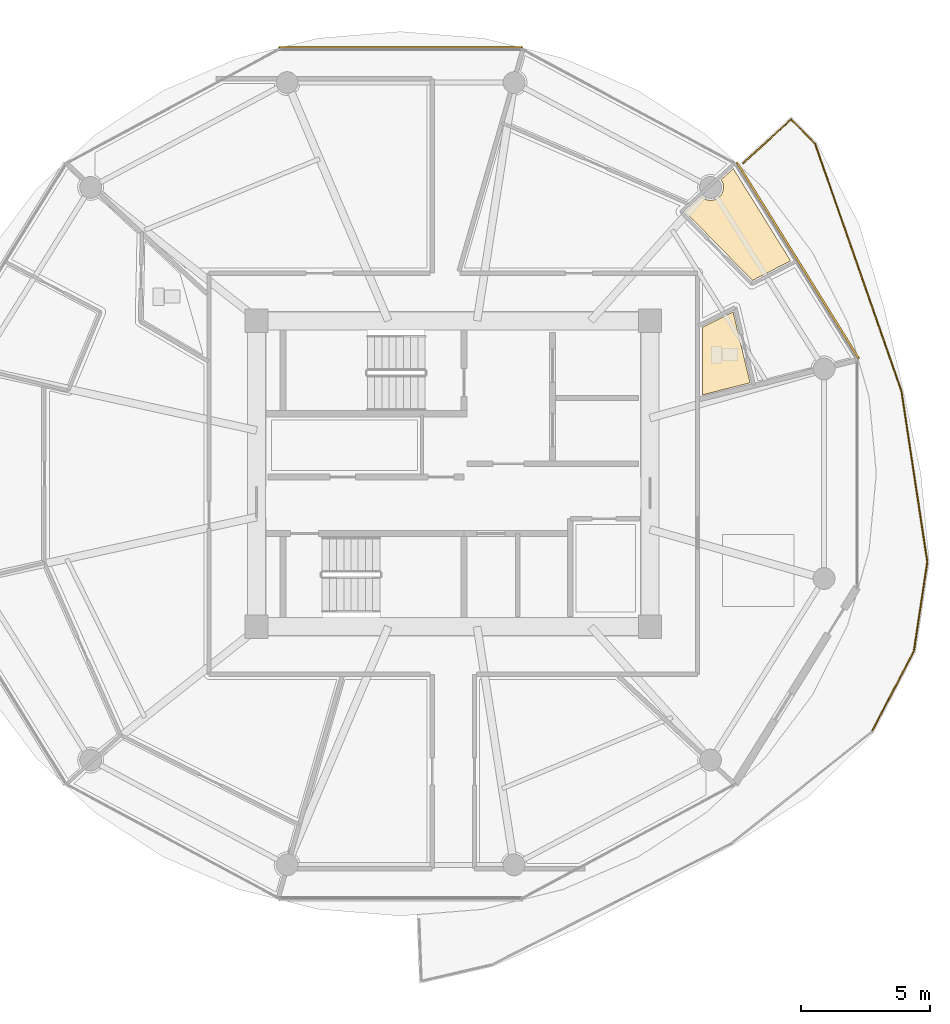
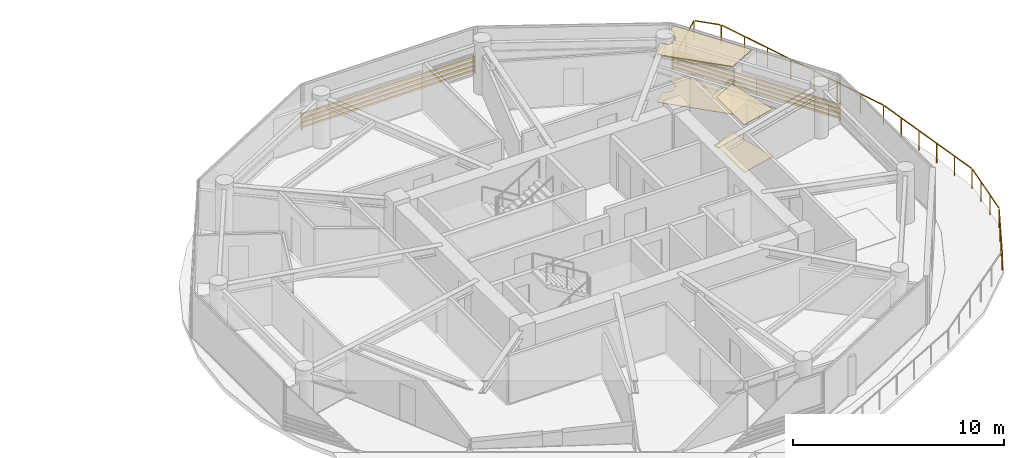
# One storey, part 24 of 25: 4 coverings, 2 shading devices, 1 railing.
"""IFC4 building model written with IfcOpenShell, lengths in metres."""

from ifc_helpers import new_model, si_unit, direction, frame, origin, origin_2d, place, context, subcontext, project, spatial, polyline, rectangle, outline, extrude, source, transform, mapped, material, layer, layer_set, type_object, type_shapes, element, save


model = new_model("IFC4")

# Units and contexts
model_context = context("Model", 3, precision=1e-05, world=origin(), true_north=direction((0.0, 1.0)))
body_context = subcontext(model_context, "Body", "Model", "MODEL_VIEW")
ifc_project = project(units=[si_unit("LENGTHUNIT", "METRE"), si_unit("AREAUNIT", "SQUARE_METRE"), si_unit("VOLUMEUNIT", "CUBIC_METRE"), si_unit("PLANEANGLEUNIT", "RADIAN"), si_unit("MASSUNIT", "GRAM", prefix="KILO")], contexts=[model_context])

# Site, building, storey
site_placement = place(None, origin())
site = spatial("IfcSite", under=ifc_project, at=site_placement, CompositionType="ELEMENT")
building_placement = place(site_placement, origin())
building = spatial("IfcBuilding", under=site, at=building_placement, Name="Norrkilde Senior Care Towers", CompositionType="ELEMENT")
storey_placement = place(building_placement, frame((0.0, 0.0, 99.300048828125)))
storey = spatial("IfcBuildingStorey", under=building, at=storey_placement, Name="L30", CompositionType="ELEMENT", Elevation=99.300048828125)

# Covering
ifc_material_1 = material(Name="Nordic Ash Timber", Category="wood")
ifc_layer_1 = layer(ifc_material_1, 0.044921875)
ifc_layer_set_1 = layer_set([ifc_layer_1], Name="Nordic Ash Timber")
covering_type_1 = type_object("IfcCoveringType", Name="Acoustic Ash Timber Slatted Ceiling 45", PredefinedType="CEILING", material=ifc_layer_set_1)
covering_1_placement = place(storey_placement, frame((0.0, 0.0, 2.744873046875)))
element("IfcCovering", 1, at=covering_1_placement, inside=storey, type_object=covering_type_1, Name="L30 Suspended Ceiling 0271", PredefinedType="CEILING", context=body_context, shape_type="SweptSolid", body=[
    extrude(outline(polyline([(39.635009765625, 7.517578125), (37.026123046875, 10.18310546875), (37.669677734375, 10.76416015625), (37.753662109375, 10.69970703125), (37.87548828125, 10.649169921875), (38.006103515625, 10.6318359375), (38.136962890625, 10.649169921875), (38.2587890625, 10.69970703125), (38.36328125, 10.77978515625), (38.443603515625, 10.884521484375), (38.493896484375, 11.00634765625), (38.51123046875, 11.136962890625), (38.493896484375, 11.267578125), (38.443603515625, 11.389404296875), (38.41015625, 11.432861328125), (38.890625, 11.866455078125), (41.11962890625, 8.279541015625), (39.635009765625, 7.517578125)])), origin(), (0.0, 0.0, 1.0), 0.045166015625),
])

# Railing
ifc_material_2 = material(Name="Anodised Aluminium", Category="aluminium")
railing_type = type_object("IfcRailingType", Name="Balcony Swirl Ribbon Guardrail 1150", PredefinedType="GUARDRAIL", material=ifc_material_2)
railing_placement = place(storey_placement, frame((39.28173828125, 12.082763671875, 0.0)))
element("IfcRailing", 2, at=railing_placement, inside=storey, type_object=railing_type, Name="L30 Perimeter Safety Guard 02", PredefinedType="GUARDRAIL", context=body_context, shape_type="SweptSolid", body=[
    extrude(rectangle(XDim=0.048095703125, YDim=0.048095703125, at=origin_2d()), frame((0.0, 0.0, 1.1259765625), z_axis=(0.737986075254, 0.674815939891, 0.0), x_axis=(-0.674815939891, 0.737986075254, 0.0)), (0.0, 0.0, 1.0), 2.47900390625),
    extrude(rectangle(XDim=0.048095703125, YDim=0.048095703125, at=origin_2d()), frame((1.88818359375, 1.671142578125, 1.1259765625), z_axis=(0.699562493726, -0.714571422163, 0.0), x_axis=(0.714571422163, 0.699562493726, 0.0)), (0.0, 0.0, 1.0), 1.252197265625),
    extrude(rectangle(XDim=0.048095703125, YDim=0.048095703125, at=origin_2d()), frame((2.80615234375, 0.708740234375, 1.1259765625), z_axis=(0.329634292247, -0.94410869786, 0.0), x_axis=(0.94410869786, 0.329634292247, 0.0)), (0.0, 0.0, 1.0), 10.093994140625),
    extrude(rectangle(XDim=0.048095703125, YDim=0.048095703125, at=origin_2d()), frame((6.153076171875, -8.900146484375, 1.1259765625), z_axis=(0.149772061141, -0.988720551876, 0.0), x_axis=(0.988720551876, 0.149772061141, 0.0)), (0.0, 0.0, 1.0), 6.647216796875),
    extrude(rectangle(XDim=0.048095703125, YDim=0.048095703125, at=origin_2d()), frame((7.148681640625, -15.55322265625, 1.1259765625), z_axis=(-0.148980421851, -0.988840145779, 0.0), x_axis=(0.988840145779, -0.148980421851, 0.0)), (0.0, 0.0, 1.0), 3.425048828125),
    extrude(rectangle(XDim=0.048095703125, YDim=0.048095703125, at=origin_2d()), frame((6.613525390625, -19.0166015625, 1.1259765625), z_axis=(-0.462504539471, -0.886616913311, 0.0), x_axis=(0.886616913311, -0.462504539471, 0.0)), (0.0, 0.0, 1.0), 3.488525390625),
    extrude(rectangle(XDim=0.0419921875, YDim=0.0419921875, at=origin_2d()), origin(), (0.0, 0.0, 1.0), 1.099853515625),
    extrude(rectangle(XDim=0.0419921875, YDim=0.0419921875, at=origin_2d()), frame((0.9296875, 0.85009765625, 0.0)), (0.0, 0.0, 1.0), 1.099853515625),
    extrude(rectangle(XDim=0.0419921875, YDim=0.0419921875, at=origin_2d()), frame((1.859619140625, 1.700439453125, 0.0)), (0.0, 0.0, 1.0), 1.099853515625),
    extrude(rectangle(XDim=0.0419921875, YDim=0.0419921875, at=origin_2d()), frame((2.792724609375, 0.747314453125, 0.0)), (0.0, 0.0, 1.0), 1.099853515625),
    extrude(rectangle(XDim=0.0419921875, YDim=0.0419921875, at=origin_2d()), frame((3.27197265625, -0.625, 0.0)), (0.0, 0.0, 1.0), 1.099853515625),
    extrude(rectangle(XDim=0.0419921875, YDim=0.0419921875, at=origin_2d()), frame((3.7509765625, -1.99755859375, 0.0)), (0.0, 0.0, 1.0), 1.099853515625),
    extrude(rectangle(XDim=0.0419921875, YDim=0.0419921875, at=origin_2d()), frame((4.230224609375, -3.369873046875, 0.0)), (0.0, 0.0, 1.0), 1.099853515625),
    extrude(rectangle(XDim=0.0419921875, YDim=0.0419921875, at=origin_2d()), frame((4.70947265625, -4.742431640625, 0.0)), (0.0, 0.0, 1.0), 1.099853515625),
    extrude(rectangle(XDim=0.0419921875, YDim=0.0419921875, at=origin_2d()), frame((5.188720703125, -6.11474609375, 0.0)), (0.0, 0.0, 1.0), 1.099853515625),
    extrude(rectangle(XDim=0.0419921875, YDim=0.0419921875, at=origin_2d()), frame((5.667724609375, -7.4873046875, 0.0)), (0.0, 0.0, 1.0), 1.099853515625),
    extrude(rectangle(XDim=0.0419921875, YDim=0.0419921875, at=origin_2d()), frame((6.14697265625, -8.859619140625, 0.0)), (0.0, 0.0, 1.0), 1.099853515625),
    extrude(rectangle(XDim=0.0419921875, YDim=0.0419921875, at=origin_2d()), frame((6.3486328125, -10.190185546875, 0.0)), (0.0, 0.0, 1.0), 1.099853515625),
    extrude(rectangle(XDim=0.0419921875, YDim=0.0419921875, at=origin_2d()), frame((6.550048828125, -11.520751953125, 0.0)), (0.0, 0.0, 1.0), 1.099853515625),
    extrude(rectangle(XDim=0.0419921875, YDim=0.0419921875, at=origin_2d()), frame((6.751708984375, -12.8515625, 0.0)), (0.0, 0.0, 1.0), 1.099853515625),
    extrude(rectangle(XDim=0.0419921875, YDim=0.0419921875, at=origin_2d()), frame((6.953125, -14.18212890625, 0.0)), (0.0, 0.0, 1.0), 1.099853515625),
    extrude(rectangle(XDim=0.0419921875, YDim=0.0419921875, at=origin_2d()), frame((7.15478515625, -15.5126953125, 0.0)), (0.0, 0.0, 1.0), 1.099853515625),
    extrude(rectangle(XDim=0.0419921875, YDim=0.0419921875, at=origin_2d()), frame((6.980712890625, -16.668701171875, 0.0)), (0.0, 0.0, 1.0), 1.099853515625),
    extrude(rectangle(XDim=0.0419921875, YDim=0.0419921875, at=origin_2d()), frame((6.806396484375, -17.824462890625, 0.0)), (0.0, 0.0, 1.0), 1.099853515625),
    extrude(rectangle(XDim=0.0419921875, YDim=0.0419921875, at=origin_2d()), frame((6.63232421875, -18.98046875, 0.0)), (0.0, 0.0, 1.0), 1.099853515625),
    extrude(rectangle(XDim=0.0419921875, YDim=0.0419921875, at=origin_2d()), frame((6.088134765625, -20.0234375, 0.0)), (0.0, 0.0, 1.0), 1.099853515625),
    extrude(rectangle(XDim=0.0419921875, YDim=0.0419921875, at=origin_2d()), frame((5.544189453125, -21.066650390625, 0.0)), (0.0, 0.0, 1.0), 1.099853515625),
    extrude(rectangle(XDim=0.0419921875, YDim=0.0419921875, at=origin_2d()), frame((5.0, -22.109619140625, 0.0)), (0.0, 0.0, 1.0), 1.099853515625),
])

# Coverings
ifc_material_3 = material(Name="Gypsum Acoustic Board")
ifc_layer_2 = layer(ifc_material_3, 0.030029296875)
ifc_layer_set_2 = layer_set([ifc_layer_2], Name="Gypsum Acoustic Board")
covering_type_2 = type_object("IfcCoveringType", Name="Medical Cleanable Gypsum Ceiling 30", PredefinedType="CEILING", material=ifc_layer_set_2)
covering_2_placement = place(storey_placement, frame((0.0, 0.0, 2.760009765625)))
element("IfcCovering", 3, at=covering_2_placement, inside=storey, type_object=covering_type_2, Name="L30 Suspended Ceiling 0270", PredefinedType="CEILING", context=body_context, shape_type="SweptSolid", body=[
    extrude(outline(polyline([(38.881591796875, 6.291259765625), (39.544677734375, 3.533447265625), (37.725341796875, 3.0771484375), (37.699951171875, 3.07080078125), (37.699951171875, 5.7041015625), (38.881591796875, 6.291259765625)])), origin(), (0.0, 0.0, 1.0), 0.030029296875),
])
ifc_material_4 = material(Name="Slip-Resistant Porcelain Stone", Category="masonry")
ifc_layer_3 = layer(ifc_material_4, 0.02490234375)
ifc_layer_set_3 = layer_set([ifc_layer_3], Name="Slip-Resistant Porcelain Stone")
covering_type_3 = type_object("IfcCoveringType", Name="Slip-Resistant Porcelain Flooring 25", PredefinedType="FLOORING", material=ifc_layer_set_3)
covering_3_placement = place(storey_placement, origin())
element("IfcCovering", 4, at=covering_3_placement, inside=storey, type_object=covering_type_3, Name="L30 Floor Finish 0270", PredefinedType="FLOORING", context=body_context, shape_type="SweptSolid", body=[
    extrude(outline(polyline([(38.881591796875, 6.291259765625), (39.544677734375, 3.533447265625), (37.725341796875, 3.0771484375), (37.699951171875, 3.07080078125), (37.699951171875, 5.7041015625), (38.881591796875, 6.291259765625)])), origin(), (0.0, 0.0, 1.0), 0.02490234375),
])
covering_4_placement = place(storey_placement, origin())
element("IfcCovering", 5, at=covering_4_placement, inside=storey, type_object=covering_type_3, Name="L30 Floor Finish 0271", PredefinedType="FLOORING", context=body_context, shape_type="SweptSolid", body=[
    extrude(outline(polyline([(39.635009765625, 7.517578125), (37.026123046875, 10.18310546875), (37.669677734375, 10.76416015625), (37.753662109375, 10.69970703125), (37.87548828125, 10.649169921875), (38.006103515625, 10.6318359375), (38.136962890625, 10.649169921875), (38.2587890625, 10.69970703125), (38.36328125, 10.77978515625), (38.443603515625, 10.884521484375), (38.493896484375, 11.00634765625), (38.51123046875, 11.136962890625), (38.493896484375, 11.267578125), (38.443603515625, 11.389404296875), (38.41015625, 11.432861328125), (38.890625, 11.866455078125), (41.11962890625, 8.279541015625), (39.635009765625, 7.517578125)])), origin(), (0.0, 0.0, 1.0), 0.02490234375),
])

# Shading devices
ifc_material_5 = material(Name="Architectural Terracotta", Category="masonry")
shading_device_type = type_object("IfcShadingDeviceType", Name="Horizontal Terracotta Baguette Rack", PredefinedType="USERDEFINED", material=ifc_material_5)
shared_shape_1 = source(origin(), body_context, "Body", "SweptSolid", [
    extrude(rectangle(XDim=0.070068359375, YDim=0.110107421875, at=origin_2d()), frame((0.0, 0.090087890625, 0.125), z_axis=(1.0, 0.0, 0.0), x_axis=(0.0, 1.0, 0.0)), (0.0, 0.0, 1.0), 9.01416015625),
    extrude(rectangle(XDim=0.070068359375, YDim=0.110107421875, at=origin_2d()), frame((0.0, 0.090087890625, 0.375), z_axis=(1.0, 0.0, 0.0), x_axis=(0.0, 1.0, 0.0)), (0.0, 0.0, 1.0), 9.01416015625),
    extrude(rectangle(XDim=0.070068359375, YDim=0.110107421875, at=origin_2d()), frame((0.0, 0.090087890625, 0.625), z_axis=(1.0, 0.0, 0.0), x_axis=(0.0, 1.0, 0.0)), (0.0, 0.0, 1.0), 9.01416015625),
    extrude(rectangle(XDim=0.070068359375, YDim=0.110107421875, at=origin_2d()), frame((0.0, 0.090087890625, 0.875), z_axis=(1.0, 0.0, 0.0), x_axis=(0.0, 1.0, 0.0)), (0.0, 0.0, 1.0), 9.01416015625),
    extrude(rectangle(XDim=0.050048828125, YDim=0.1552734375, at=origin_2d()), frame((0.02490234375, 0.047607421875, 0.0)), (0.0, 0.0, 1.0), 1.0),
    extrude(rectangle(XDim=0.050048828125, YDim=0.1552734375, at=origin_2d()), frame((8.9892578125, 0.047607421875, 0.0)), (0.0, 0.0, 1.0), 1.0),
])
shading_device_1_placement = place(storey_placement, frame((38.946533203125, 12.077392578125, 0.079833984375), z_axis=(0.0, 0.0, 1.0), x_axis=(0.527734142246, -0.849412274525, 0.0)))
element("IfcShadingDevice", 6, at=shading_device_1_placement, inside=storey, type_object=shading_device_type, Name="L30 Drum E Terracotta Baguette Screen 00", ObjectType="BAGUETTE", PredefinedType="USERDEFINED", context=body_context, shape_type="MappedRepresentation", body=[
    mapped(shared_shape_1, transform((0.0, 0.0, 0.0), x_axis=(1.0, 0.0, 0.0), y_axis=(0.0, 1.0, 0.0), z_axis=(0.0, 0.0, 1.0), scale=1.0)),
])
shared_shape_2 = source(origin(), body_context, "Body", "SweptSolid", [
    extrude(rectangle(XDim=0.070068359375, YDim=0.110107421875, at=origin_2d()), frame((0.0, 0.090087890625, 0.125), z_axis=(1.0, 0.0, 0.0), x_axis=(0.0, 1.0, 0.0)), (0.0, 0.0, 1.0), 9.51416015625),
    extrude(rectangle(XDim=0.070068359375, YDim=0.110107421875, at=origin_2d()), frame((0.0, 0.090087890625, 0.375), z_axis=(1.0, 0.0, 0.0), x_axis=(0.0, 1.0, 0.0)), (0.0, 0.0, 1.0), 9.51416015625),
    extrude(rectangle(XDim=0.070068359375, YDim=0.110107421875, at=origin_2d()), frame((0.0, 0.090087890625, 0.625), z_axis=(1.0, 0.0, 0.0), x_axis=(0.0, 1.0, 0.0)), (0.0, 0.0, 1.0), 9.51416015625),
    extrude(rectangle(XDim=0.070068359375, YDim=0.110107421875, at=origin_2d()), frame((0.0, 0.090087890625, 0.875), z_axis=(1.0, 0.0, 0.0), x_axis=(0.0, 1.0, 0.0)), (0.0, 0.0, 1.0), 9.51416015625),
    extrude(rectangle(XDim=0.050048828125, YDim=0.1552734375, at=origin_2d()), frame((0.02490234375, 0.047607421875, 0.0)), (0.0, 0.0, 1.0), 1.0),
    extrude(rectangle(XDim=0.050048828125, YDim=0.1552734375, at=origin_2d()), frame((9.4892578125, 0.047607421875, 0.0)), (0.0, 0.0, 1.0), 1.0),
])
type_shapes(shading_device_type, [shared_shape_1, shared_shape_2])
shading_device_2_placement = place(storey_placement, frame((21.19287109375, 16.498046875, 0.079833984375), z_axis=(0.0, 0.0, 1.0), x_axis=(1.0, 0.0, 0.0)))
element("IfcShadingDevice", 7, at=shading_device_2_placement, inside=storey, type_object=shading_device_type, Name="L30 Drum E Terracotta Baguette Screen 02", ObjectType="BAGUETTE", PredefinedType="USERDEFINED", context=body_context, shape_type="MappedRepresentation", body=[
    mapped(shared_shape_2, transform((0.0, 0.0, 0.0), x_axis=(1.0, 0.0, 0.0), y_axis=(0.0, 1.0, 0.0), z_axis=(0.0, 0.0, 1.0), scale=1.0)),
])

save(model, "model.ifc")
